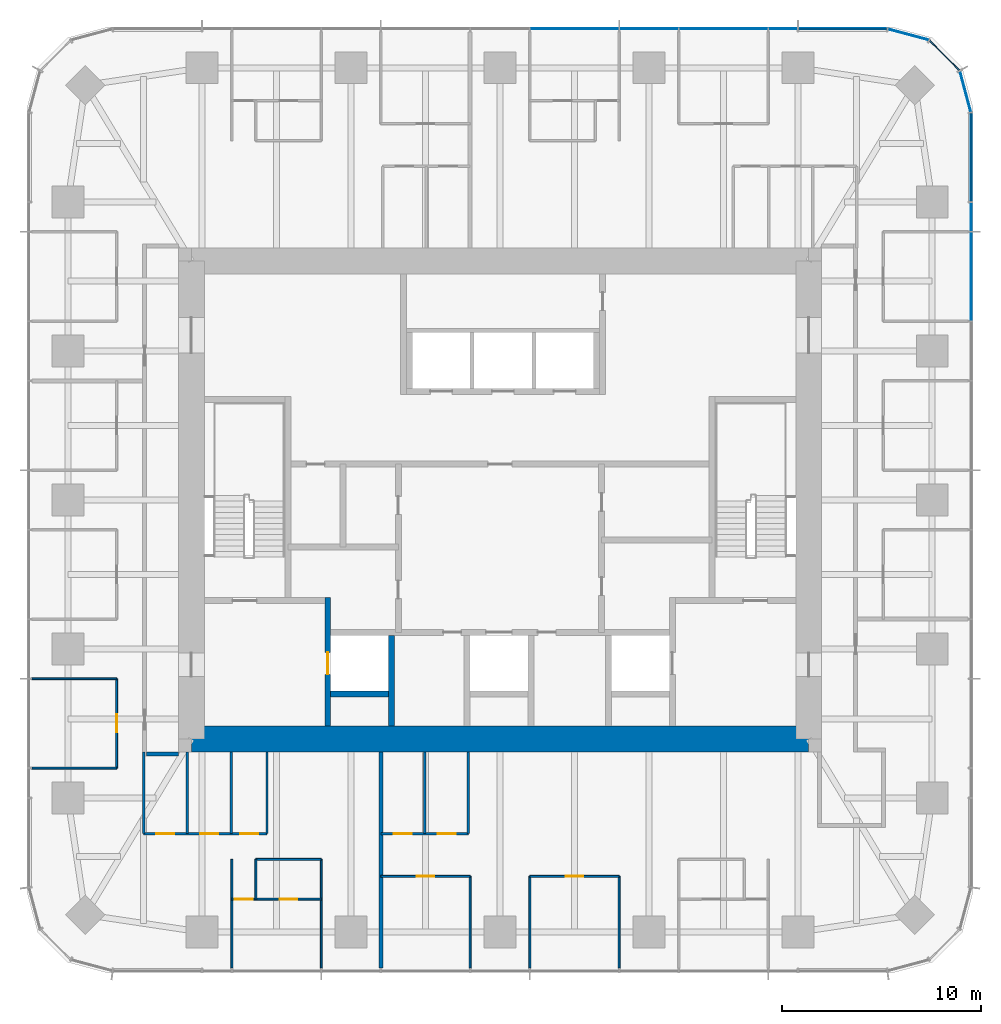
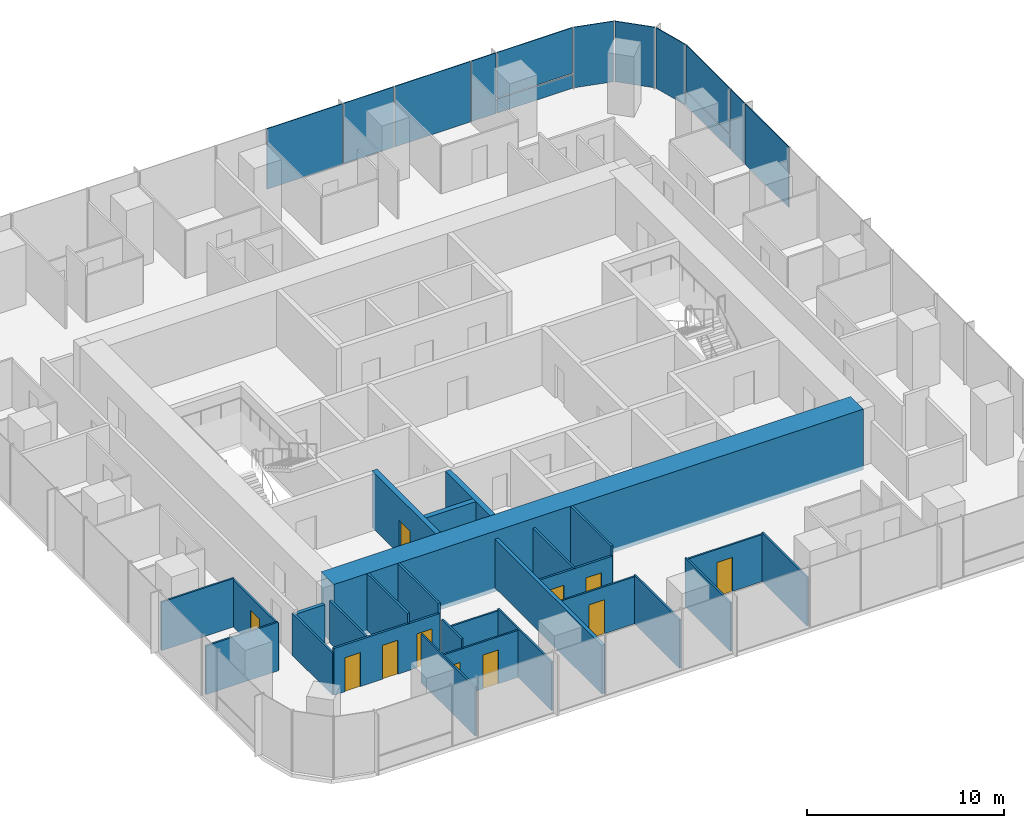
# One storey, part 8 of 12: 27 walls, 13 plates, 11 doors, 11 openings, 3 elements without a shape of their own.
"""IFC4 building model written with IfcOpenShell, lengths in metres."""

from ifc_helpers import new_model, si_unit, direction, frame, frame_2d, origin, origin_2d, place, context, subcontext, project, spatial, rectangle, extrude, material, layer, layer_set, type_object, element, fill, aggregate, save


model = new_model("IFC4")

# Units and contexts
model_context = context("Model", 3, precision=1e-05, world=origin(), true_north=direction((0.0, 1.0)))
body_context = subcontext(model_context, "Body", "Model", "MODEL_VIEW")
ifc_project = project(units=[si_unit("LENGTHUNIT", "METRE"), si_unit("AREAUNIT", "SQUARE_METRE"), si_unit("VOLUMEUNIT", "CUBIC_METRE"), si_unit("PLANEANGLEUNIT", "RADIAN"), si_unit("MASSUNIT", "GRAM", prefix="KILO")], contexts=[model_context])

# Site, building, storey
site_placement = place(None, origin())
site = spatial("IfcSite", under=ifc_project, at=site_placement, CompositionType="ELEMENT")
building_placement = place(site_placement, origin())
building = spatial("IfcBuilding", under=site, at=building_placement, Name="Khuree Lantern Residences", CompositionType="ELEMENT")
storey_placement = place(building_placement, frame((0.0, 0.0, 300.75)))
storey = spatial("IfcBuildingStorey", under=building, at=storey_placement, Name="L75", CompositionType="ELEMENT", Elevation=300.75)

# Curtain wall, plates
ifc_material_1 = material(Name="Bronze anodised aluminium", Category="aluminium")
curtain_wall_type_1 = type_object("IfcCurtainWallType", Name="CW-T2 TOWER CORNER CURTAIN WALL", PredefinedType="USERDEFINED", material=ifc_material_1)
curtain_wall_1_placement = place(storey_placement, origin())
curtain_wall_1 = element("IfcCurtainWall", 1, at=curtain_wall_1_placement, inside=storey, type_object=curtain_wall_type_1, Name="L75 NORTH-EAST CORNER CURTAIN WALL", ObjectType="Faceted corner curtain wall", PredefinedType="USERDEFINED")
ifc_material_2 = material(Name="Bronze tinted triple glazing", Category="glass")
ifc_layer_1 = layer(ifc_material_2, 0.048095703125)
ifc_layer_set_1 = layer_set([ifc_layer_1], Name="FACET PANEL P4")
plate_type_1 = type_object("IfcPlateType", Name="FACET PANEL P4", PredefinedType="CURTAIN_PANEL", material=ifc_layer_set_1)
plate_1_placement = place(storey_placement, frame((23.369140625, 20.498046875, 0.0), z_axis=(0.0, 0.0, 1.0), x_axis=(-0.2588189146, 0.965925861257, 0.0)))
plate_1 = element("IfcPlate", 2, at=plate_1_placement, type_object=plate_type_1, Name="L75 NORTH-EAST CORNER PANEL 15.1", PredefinedType="CURTAIN_PANEL", context=body_context, shape_type="SweptSolid", body=[
    extrude(rectangle(XDim=2.09814453125, YDim=0.048095703125, at=origin_2d()), origin(), (0.0, 0.0, 1.0), 3.75),
])
plate_2_placement = place(storey_placement, frame((22.318603515625, 22.318603515625, 0.0), z_axis=(0.0, 0.0, 1.0), x_axis=(-0.707106781187, 0.707106781187, 0.0)))
plate_2 = element("IfcPlate", 3, at=plate_2_placement, type_object=plate_type_1, Name="L75 NORTH-EAST CORNER PANEL 16.1", PredefinedType="CURTAIN_PANEL", context=body_context, shape_type="SweptSolid", body=[
    extrude(rectangle(XDim=2.093994140625, YDim=0.048095703125, at=origin_2d()), origin(), (0.0, 0.0, 1.0), 3.75),
])
plate_3_placement = place(storey_placement, frame((20.498046875, 23.369140625, 0.0), z_axis=(0.0, 0.0, 1.0), x_axis=(-0.965925861257, 0.2588189146, 0.0)))
plate_3 = element("IfcPlate", 4, at=plate_3_placement, type_object=plate_type_1, Name="L75 NORTH-EAST CORNER PANEL 17.1", PredefinedType="CURTAIN_PANEL", context=body_context, shape_type="SweptSolid", body=[
    extrude(rectangle(XDim=2.09814453125, YDim=0.048095703125, at=origin_2d()), origin(), (0.0, 0.0, 1.0), 3.75),
])
aggregate(curtain_wall_1, [plate_1, plate_2, plate_3])

# Curtain wall, plate
curtain_wall_type_2 = type_object("IfcCurtainWallType", Name="CW-T1 TOWER FACE CURTAIN WALL", PredefinedType="USERDEFINED", material=ifc_material_1)
curtain_wall_2_placement = place(storey_placement, origin())
curtain_wall_2 = element("IfcCurtainWall", 5, at=curtain_wall_2_placement, inside=storey, type_object=curtain_wall_type_2, Name="L75 EAST FACE CURTAIN WALL", ObjectType="Stick-built curtain wall", PredefinedType="USERDEFINED")
ifc_material_3 = material(Name="Bronze tinted triple glazing with a ceramic-fritted spandrel band", Category="glass")
ifc_layer_2 = layer(ifc_material_3, 0.048095703125)
ifc_layer_set_2 = layer_set([ifc_layer_2], Name="FIXED LIGHT PANEL P11")
plate_type_2 = type_object("IfcPlateType", Name="FIXED LIGHT PANEL P11", PredefinedType="CURTAIN_PANEL", material=ifc_layer_set_2)
plate_4_placement = place(storey_placement, frame((23.64990234375, 11.219970703125, 0.0), z_axis=(0.0, 0.0, 1.0), x_axis=(0.0, 1.0, 0.0)))
plate_4 = element("IfcPlate", 6, at=plate_4_placement, type_object=plate_type_2, Name="L75 EAST FACE PANEL 12.1", PredefinedType="CURTAIN_PANEL", context=body_context, shape_type="SweptSolid", body=[
    extrude(rectangle(XDim=4.423095703125, YDim=0.048095703125, at=origin_2d()), origin(), (0.0, 0.0, 1.0), 3.75),
])

# Curtain wall, plates
curtain_wall_3_placement = place(storey_placement, origin())
curtain_wall_3 = element("IfcCurtainWall", 7, at=curtain_wall_3_placement, inside=storey, type_object=curtain_wall_type_2, Name="L75 NORTH FACE CURTAIN WALL", ObjectType="Stick-built curtain wall", PredefinedType="USERDEFINED")
plate_5_placement = place(storey_placement, frame((11.219970703125, 23.64990234375, 0.0), z_axis=(0.0, 0.0, 1.0), x_axis=(-1.0, 0.0, 0.0)))
plate_5 = element("IfcPlate", 8, at=plate_5_placement, type_object=plate_type_2, Name="L75 NORTH FACE PANEL 20.1", PredefinedType="CURTAIN_PANEL", context=body_context, shape_type="SweptSolid", body=[
    extrude(rectangle(XDim=4.423095703125, YDim=0.048095703125, at=origin_2d()), origin(), (0.0, 0.0, 1.0), 3.75),
])
plate_6_placement = place(storey_placement, frame((3.739990234375, 23.64990234375, 0.0), z_axis=(0.0, 0.0, 1.0), x_axis=(-1.0, 0.0, 0.0)))
plate_6 = element("IfcPlate", 9, at=plate_6_placement, type_object=plate_type_2, Name="L75 NORTH FACE PANEL 22.1", PredefinedType="CURTAIN_PANEL", context=body_context, shape_type="SweptSolid", body=[
    extrude(rectangle(XDim=4.423095703125, YDim=0.048095703125, at=origin_2d()), origin(), (0.0, 0.0, 1.0), 3.75),
])
ifc_material_4 = material(Name="Bronze tinted triple glazing, two aluminium-framed sashes in one frame", Category="aluminium")
ifc_layer_3 = layer(ifc_material_4, 0.048095703125)
ifc_layer_set_3 = layer_set([ifc_layer_3], Name="SASH PAIR PANEL P12")
plate_type_3 = type_object("IfcPlateType", Name="SASH PAIR PANEL P12", PredefinedType="CURTAIN_PANEL", material=ifc_layer_set_3)
plate_7_placement = place(storey_placement, frame((7.47998046875, 23.64990234375, 0.0), z_axis=(0.0, 0.0, 1.0), x_axis=(-1.0, 0.0, 0.0)))
plate_7 = element("IfcPlate", 10, at=plate_7_placement, type_object=plate_type_3, Name="L75 NORTH FACE PANEL 21.1", PredefinedType="CURTAIN_PANEL", context=body_context, shape_type="SweptSolid", body=[
    extrude(rectangle(XDim=2.927001953125, YDim=0.048095703125, at=origin_2d()), origin(), (0.0, 0.0, 1.0), 3.75),
])

# Plate
ifc_material_5 = material(Name="Bronze tinted triple glazing, aluminium-framed sash", Category="aluminium")
ifc_layer_4 = layer(ifc_material_5, 0.048095703125)
ifc_layer_set_4 = layer_set([ifc_layer_4], Name="SASH PANEL P3")
plate_type_4 = type_object("IfcPlateType", Name="SASH PANEL P3", PredefinedType="CURTAIN_PANEL", material=ifc_layer_set_4)
plate_8_placement = place(storey_placement, frame((23.64990234375, 14.2119140625, 0.0), z_axis=(0.0, 0.0, 1.0), x_axis=(0.0, 1.0, 0.0)))
plate_8 = element("IfcPlate", 11, at=plate_8_placement, type_object=plate_type_4, Name="L75 EAST FACE PANEL 13.1", PredefinedType="CURTAIN_PANEL", context=body_context, shape_type="SweptSolid", body=[
    extrude(rectangle(XDim=1.430908203125, YDim=0.048095703125, at=origin_2d()), origin(), (0.0, 0.0, 1.0), 3.75),
])

plate_9_placement = place(storey_placement, frame((14.2119140625, 23.64990234375, 0.0), z_axis=(0.0, 0.0, 1.0), x_axis=(-1.0, 0.0, 0.0)))
plate_9 = element("IfcPlate", 12, at=plate_9_placement, type_object=plate_type_4, Name="L75 NORTH FACE PANEL 19.1", PredefinedType="CURTAIN_PANEL", context=body_context, shape_type="SweptSolid", body=[
    extrude(rectangle(XDim=1.430908203125, YDim=0.048095703125, at=origin_2d()), origin(), (0.0, 0.0, 1.0), 3.75),
])

ifc_material_6 = material(Name="Bronze anodised aluminium insulated spandrel", Category="aluminium")
ifc_layer_5 = layer(ifc_material_6, 0.06005859375)
ifc_layer_set_5 = layer_set([ifc_layer_5], Name="SPANDREL PANEL P2")
plate_type_5 = type_object("IfcPlateType", Name="SPANDREL PANEL P2", PredefinedType="CURTAIN_PANEL", material=ifc_layer_set_5)
plate_10_placement = place(storey_placement, frame((23.64990234375, 17.202880859375, 0.0), z_axis=(0.0, 0.0, 1.0), x_axis=(0.0, 1.0, 0.0)))
plate_10 = element("IfcPlate", 13, at=plate_10_placement, type_object=plate_type_5, Name="L75 EAST FACE PANEL 14.1", PredefinedType="CURTAIN_PANEL", context=body_context, shape_type="SweptSolid", body=[
    extrude(rectangle(XDim=4.420654296875, YDim=0.06005859375, at=origin_2d()), origin(), (0.0, 0.0, 1.0), 0.867431640625),
])

plate_11_placement = place(storey_placement, frame((17.202880859375, 23.64990234375, 0.0), z_axis=(0.0, 0.0, 1.0), x_axis=(-1.0, 0.0, 0.0)))
plate_11 = element("IfcPlate", 14, at=plate_11_placement, type_object=plate_type_5, Name="L75 NORTH FACE PANEL 18.1", PredefinedType="CURTAIN_PANEL", context=body_context, shape_type="SweptSolid", body=[
    extrude(rectangle(XDim=4.420654296875, YDim=0.06005859375, at=origin_2d()), origin(), (0.0, 0.0, 1.0), 0.867431640625),
])

ifc_layer_6 = layer(ifc_material_2, 0.048095703125)
ifc_layer_set_6 = layer_set([ifc_layer_6], Name="VISION PANEL P1")
plate_type_6 = type_object("IfcPlateType", Name="VISION PANEL P1", PredefinedType="CURTAIN_PANEL", material=ifc_layer_set_6)
plate_12_placement = place(storey_placement, frame((23.64990234375, 17.203369140625, 0.9326171875), z_axis=(0.0, 0.0, 1.0), x_axis=(0.0, 1.0, 0.0)))
plate_12 = element("IfcPlate", 15, at=plate_12_placement, type_object=plate_type_6, Name="L75 EAST FACE PANEL 14.2", PredefinedType="CURTAIN_PANEL", context=body_context, shape_type="SweptSolid", body=[
    extrude(rectangle(XDim=4.421630859375, YDim=0.048095703125, at=origin_2d()), origin(), (0.0, 0.0, 1.0), 2.8173828125),
])

aggregate(curtain_wall_2, [plate_4, plate_8, plate_10, plate_12])

plate_13_placement = place(storey_placement, frame((17.203369140625, 23.64990234375, 0.9326171875), z_axis=(0.0, 0.0, 1.0), x_axis=(-1.0, 0.0, 0.0)))
plate_13 = element("IfcPlate", 16, at=plate_13_placement, type_object=plate_type_6, Name="L75 NORTH FACE PANEL 18.2", PredefinedType="CURTAIN_PANEL", context=body_context, shape_type="SweptSolid", body=[
    extrude(rectangle(XDim=4.421630859375, YDim=0.048095703125, at=origin_2d()), origin(), (0.0, 0.0, 1.0), 2.8173828125),
])

aggregate(curtain_wall_3, [plate_11, plate_13, plate_9, plate_5, plate_7, plate_6])

# Wall, openings, doors
ifc_material_7 = material(Name="Moisture-resistant gypsum board on steel studs", Category="steel")
ifc_layer_7 = layer(ifc_material_7, 0.125)
ifc_layer_set_7 = layer_set([ifc_layer_7], Name="BATHROOM WALL BTW125")
wall_type_1 = type_object("IfcWallType", Name="BATHROOM WALL BTW125", PredefinedType="PARTITIONING", material=ifc_layer_set_7)
wall_1_placement = place(storey_placement, frame((-17.89990234375, -16.746337890625, 0.0), z_axis=(0.0, 0.0, 1.0), x_axis=(1.0, 0.0, 0.0)))
wall_1 = element("IfcWall", 17, at=wall_1_placement, inside=storey, type_object=wall_type_1, Name="L75 BATHROOM WALL 03", PredefinedType="PARTITIONING", context=body_context, shape_type="SweptSolid", body=[
    extrude(rectangle(XDim=6.199951171875, YDim=0.125, at=frame_2d((3.10009765625, 0.0))), origin(), (0.0, 0.0, 1.0), 2.89990234375),
])
opening_1_placement = place(wall_1_placement, frame((0.64990234375, 0.0, 0.0)))
opening_1 = element("IfcOpeningElement", 18, at=opening_1_placement, cuts=wall_1, Name="Opening 75-044", PredefinedType="OPENING", context=body_context, shape_type="SweptSolid", body=[
    extrude(rectangle(XDim=0.89990234375, YDim=2.10009765625, at=frame_2d((0.449951171875, 1.050048828125))), frame((0.0, 0.072509765625, 0.0), z_axis=(0.0, -1.0, 0.0), x_axis=(1.0, 0.0, 0.0)), (0.0, 0.0, 1.0), 0.14501953125),
])
opening_2_placement = place(wall_1_placement, frame((2.85009765625, 0.0, 0.0)))
opening_2 = element("IfcOpeningElement", 19, at=opening_2_placement, cuts=wall_1, Name="Opening 75-045", PredefinedType="OPENING", context=body_context, shape_type="SweptSolid", body=[
    extrude(rectangle(XDim=0.89990234375, YDim=2.10009765625, at=frame_2d((0.449951171875, 1.050048828125))), frame((0.0, 0.072509765625, 0.0), z_axis=(0.0, -1.0, 0.0), x_axis=(1.0, 0.0, 0.0)), (0.0, 0.0, 1.0), 0.14501953125),
])
opening_3_placement = place(wall_1_placement, frame((4.85009765625, 0.0, 0.0)))
opening_3 = element("IfcOpeningElement", 20, at=opening_3_placement, cuts=wall_1, Name="Opening 75-046", PredefinedType="OPENING", context=body_context, shape_type="SweptSolid", body=[
    extrude(rectangle(XDim=0.89990234375, YDim=2.10009765625, at=frame_2d((0.449951171875, 1.050048828125))), frame((0.0, 0.072509765625, 0.0), z_axis=(0.0, -1.0, 0.0), x_axis=(1.0, 0.0, 0.0)), (0.0, 0.0, 1.0), 0.14501953125),
])
ifc_material_8 = material(Name="Timber door leaf in hardwood frame", Category="wood")
door_type_1 = type_object("IfcDoorType", Name="BATHROOM DOOR 900X2100", OperationType="SINGLE_SWING_LEFT", PredefinedType="DOOR", material=ifc_material_8)
door_1_placement = place(opening_1_placement, origin())
door_1 = element("IfcDoor", 21, at=door_1_placement, inside=storey, type_object=door_type_1, Name="Bathroom door 75-044", OperationType="SINGLE_SWING_LEFT", OverallHeight=2.10009765625, OverallWidth=0.89990234375, PredefinedType="DOOR", context=body_context, shape_type="SweptSolid", body=[
    extrude(rectangle(XDim=0.89990234375, YDim=2.10009765625, at=frame_2d((0.449951171875, 1.050048828125))), frame((0.0, 0.02490234375, 0.0), z_axis=(0.0, -1.0, 0.0), x_axis=(1.0, 0.0, 0.0)), (0.0, 0.0, 1.0), 0.050048828125),
])
fill(opening_1, door_1)
door_2_placement = place(opening_2_placement, origin())
door_2 = element("IfcDoor", 22, at=door_2_placement, inside=storey, type_object=door_type_1, Name="Bathroom door 75-045", OperationType="SINGLE_SWING_LEFT", OverallHeight=2.10009765625, OverallWidth=0.89990234375, PredefinedType="DOOR", context=body_context, shape_type="SweptSolid", body=[
    extrude(rectangle(XDim=0.89990234375, YDim=2.10009765625, at=frame_2d((0.449951171875, 1.050048828125))), frame((0.0, 0.02490234375, 0.0), z_axis=(0.0, -1.0, 0.0), x_axis=(1.0, 0.0, 0.0)), (0.0, 0.0, 1.0), 0.050048828125),
])
fill(opening_2, door_2)
door_type_2 = type_object("IfcDoorType", Name="DOOR 900X2100", OperationType="SINGLE_SWING_LEFT", PredefinedType="DOOR", material=ifc_material_8)
door_3_placement = place(opening_3_placement, origin())
door_3 = element("IfcDoor", 23, at=door_3_placement, inside=storey, type_object=door_type_2, Name="Store door 75-046", OperationType="SINGLE_SWING_LEFT", OverallHeight=2.10009765625, OverallWidth=0.89990234375, PredefinedType="DOOR", context=body_context, shape_type="SweptSolid", body=[
    extrude(rectangle(XDim=0.89990234375, YDim=2.10009765625, at=frame_2d((0.449951171875, 1.050048828125))), frame((0.0, 0.02490234375, 0.0), z_axis=(0.0, -1.0, 0.0), x_axis=(1.0, 0.0, 0.0)), (0.0, 0.0, 1.0), 0.050048828125),
])
fill(opening_3, door_3)

# Walls
for number, where, z_axis, x_axis, name in (
    (24, (-17.89990234375, -12.64990234375, 0.0), (0.0, 0.0, 1.0), (0.0, -1.0, 0.0), "L75 BATHROOM WALL 03"),
    (25, (-15.699951171875, -12.64990234375, 0.0), (0.0, 0.0, 1.0), (0.0, -1.0, 0.0), "L75 BATHROOM WALL 03"),
):
    element("IfcWall", number, at=place(storey_placement, frame(where, z_axis=z_axis, x_axis=x_axis)), inside=storey, type_object=wall_type_1, Name=name, PredefinedType="PARTITIONING", context=body_context, shape_type="SweptSolid", body=[
        extrude(rectangle(XDim=4.096435546875, YDim=0.125, at=frame_2d((2.04833984375, 0.0))), origin(), (0.0, 0.0, 1.0), 2.60009765625),
    ])
for number, where, z_axis, x_axis, name in (
    (26, (-13.5, -12.64990234375, 0.0), (0.0, 0.0, 1.0), (0.0, -1.0, 0.0), "L75 BATHROOM WALL 03"),
    (27, (-11.699951171875, -12.64990234375, 0.0), (0.0, 0.0, 1.0), (0.0, -1.0, 0.0), "L75 BATHROOM WALL 03"),
):
    element("IfcWall", number, at=place(storey_placement, frame(where, z_axis=z_axis, x_axis=x_axis)), inside=storey, type_object=wall_type_1, Name=name, PredefinedType="PARTITIONING", context=body_context, shape_type="SweptSolid", body=[
        extrude(rectangle(XDim=4.096435546875, YDim=0.125, at=frame_2d((2.04833984375, 0.0))), origin(), (0.0, 0.0, 1.0), 3.5),
    ])

# Wall, openings, doors
wall_2_placement = place(storey_placement, frame((-5.98388671875, -16.746337890625, 0.0), z_axis=(0.0, 0.0, 1.0), x_axis=(1.0, 0.0, 0.0)))
wall_2 = element("IfcWall", 28, at=wall_2_placement, inside=storey, type_object=wall_type_1, Name="L75 BATHROOM WALL 04", PredefinedType="PARTITIONING", context=body_context, shape_type="SweptSolid", body=[
    extrude(rectangle(XDim=4.39990234375, YDim=0.125, at=frame_2d((2.199951171875, 0.0))), origin(), (0.0, 0.0, 1.0), 2.909912109375),
])
opening_4_placement = place(wall_2_placement, frame((0.64990234375, 0.0, 0.0)))
opening_4 = element("IfcOpeningElement", 29, at=opening_4_placement, cuts=wall_2, Name="Opening 75-052", PredefinedType="OPENING", context=body_context, shape_type="SweptSolid", body=[
    extrude(rectangle(XDim=0.89990234375, YDim=2.10009765625, at=frame_2d((0.449951171875, 1.050048828125))), frame((0.0, 0.072509765625, 0.0), z_axis=(0.0, -1.0, 0.0), x_axis=(1.0, 0.0, 0.0)), (0.0, 0.0, 1.0), 0.14501953125),
])
opening_5_placement = place(wall_2_placement, frame((2.85009765625, 0.0, 0.0)))
opening_5 = element("IfcOpeningElement", 30, at=opening_5_placement, cuts=wall_2, Name="Opening 75-053", PredefinedType="OPENING", context=body_context, shape_type="SweptSolid", body=[
    extrude(rectangle(XDim=0.89990234375, YDim=2.10009765625, at=frame_2d((0.449951171875, 1.050048828125))), frame((0.0, 0.072509765625, 0.0), z_axis=(0.0, -1.0, 0.0), x_axis=(1.0, 0.0, 0.0)), (0.0, 0.0, 1.0), 0.14501953125),
])
door_4_placement = place(opening_4_placement, origin())
door_4 = element("IfcDoor", 31, at=door_4_placement, inside=storey, type_object=door_type_1, Name="Bathroom door 75-052", OperationType="SINGLE_SWING_LEFT", OverallHeight=2.10009765625, OverallWidth=0.89990234375, PredefinedType="DOOR", context=body_context, shape_type="SweptSolid", body=[
    extrude(rectangle(XDim=0.89990234375, YDim=2.10009765625, at=frame_2d((0.449951171875, 1.050048828125))), frame((0.0, 0.02490234375, 0.0), z_axis=(0.0, -1.0, 0.0), x_axis=(1.0, 0.0, 0.0)), (0.0, 0.0, 1.0), 0.050048828125),
])
fill(opening_4, door_4)
door_5_placement = place(opening_5_placement, origin())
door_5 = element("IfcDoor", 32, at=door_5_placement, inside=storey, type_object=door_type_1, Name="Bathroom door 75-053", OperationType="SINGLE_SWING_LEFT", OverallHeight=2.10009765625, OverallWidth=0.89990234375, PredefinedType="DOOR", context=body_context, shape_type="SweptSolid", body=[
    extrude(rectangle(XDim=0.89990234375, YDim=2.10009765625, at=frame_2d((0.449951171875, 1.050048828125))), frame((0.0, 0.02490234375, 0.0), z_axis=(0.0, -1.0, 0.0), x_axis=(1.0, 0.0, 0.0)), (0.0, 0.0, 1.0), 0.050048828125),
])
fill(opening_5, door_5)

# Walls
wall_3_placement = place(storey_placement, frame((-3.783935546875, -12.64990234375, 0.0), z_axis=(0.0, 0.0, 1.0), x_axis=(0.0, -1.0, 0.0)))
element("IfcWall", 33, at=wall_3_placement, inside=storey, type_object=wall_type_1, Name="L75 BATHROOM WALL 04", PredefinedType="PARTITIONING", context=body_context, shape_type="SweptSolid", body=[
    extrude(rectangle(XDim=4.096435546875, YDim=0.125, at=frame_2d((2.04833984375, 0.0))), origin(), (0.0, 0.0, 1.0), 2.909912109375),
])
wall_4_placement = place(storey_placement, frame((-1.583984375, -12.64990234375, 0.0), z_axis=(0.0, 0.0, 1.0), x_axis=(0.0, -1.0, 0.0)))
element("IfcWall", 34, at=wall_4_placement, inside=storey, type_object=wall_type_1, Name="L75 BATHROOM WALL 04", PredefinedType="PARTITIONING", context=body_context, shape_type="SweptSolid", body=[
    extrude(rectangle(XDim=4.096435546875, YDim=0.125, at=frame_2d((2.04833984375, 0.0))), origin(), (0.0, 0.0, 1.0), 3.5),
])

# Wall, opening, door
ifc_material_9 = material(Name="Dense concrete blockwork", Category="masonry")
ifc_layer_8 = layer(ifc_material_9, 0.300048828125)
ifc_layer_set_8 = layer_set([ifc_layer_8], Name="CORE PARTITION WALL CPW300 EI 120")
wall_type_2 = type_object("IfcWallType", Name="CORE PARTITION WALL CPW300 EI 120", PredefinedType="PARTITIONING", material=ifc_layer_set_8)
wall_5_placement = place(storey_placement, frame((-8.64990234375, -11.35009765625, 0.0), z_axis=(0.0, 0.0, 1.0), x_axis=(0.0, 1.0, 0.0)))
wall_5 = element("IfcWall", 35, at=wall_5_placement, inside=storey, type_object=wall_type_2, Name="L75 CORE WALL FL1W", PredefinedType="PARTITIONING", context=body_context, shape_type="SweptSolid", body=[
    extrude(rectangle(XDim=6.4501953125, YDim=0.300048828125, at=frame_2d((3.22509765625, 0.0))), origin(), (0.0, 0.0, 1.0), 3.5),
])
opening_6_placement = place(wall_5_placement, frame((2.60009765625, 0.0, 0.0)))
opening_6 = element("IfcOpeningElement", 36, at=opening_6_placement, cuts=wall_5, Name="Opening 75-007", PredefinedType="OPENING", context=body_context, shape_type="SweptSolid", body=[
    extrude(rectangle(XDim=1.10009765625, YDim=2.10009765625, at=frame_2d((0.550048828125, 1.050048828125))), frame((0.0, 0.16015625, 0.0), z_axis=(0.0, -1.0, 0.0), x_axis=(1.0, 0.0, 0.0)), (0.0, 0.0, 1.0), 0.320068359375),
])
ifc_material_10 = material(Name="Stainless steel lift landing door", Category="steel")
door_type_3 = type_object("IfcDoorType", Name="LIFT LANDING DOOR 1100X2100 E 120", OperationType="DOUBLE_DOOR_SLIDING", PredefinedType="DOOR", material=ifc_material_10)
door_6_placement = place(opening_6_placement, origin())
door_6 = element("IfcDoor", 37, at=door_6_placement, inside=storey, type_object=door_type_3, Name="Landing door FL1 75-007", OperationType="DOUBLE_DOOR_SLIDING", OverallHeight=2.10009765625, OverallWidth=1.10009765625, PredefinedType="DOOR", context=body_context, shape_type="SweptSolid", body=[
    extrude(rectangle(XDim=1.10009765625, YDim=2.10009765625, at=frame_2d((0.550048828125, 1.050048828125))), frame((0.0, 0.02490234375, 0.0), z_axis=(0.0, -1.0, 0.0), x_axis=(1.0, 0.0, 0.0)), (0.0, 0.0, 1.0), 0.050048828125),
])
fill(opening_6, door_6)

# Walls
wall_6_placement = place(storey_placement, frame((-5.449951171875, -11.35009765625, 0.0), z_axis=(0.0, 0.0, 1.0), x_axis=(0.0, 1.0, 0.0)))
element("IfcWall", 38, at=wall_6_placement, inside=storey, type_object=wall_type_2, Name="L75 CORE WALL FL1E", PredefinedType="PARTITIONING", context=body_context, shape_type="SweptSolid", body=[
    extrude(rectangle(XDim=4.550048828125, YDim=0.300048828125, at=frame_2d((2.27490234375, 0.0))), origin(), (0.0, 0.0, 1.0), 3.5),
])
wall_7_placement = place(storey_placement, frame((-8.5, -9.75, 0.0), z_axis=(0.0, 0.0, 1.0), x_axis=(1.0, 0.0, 0.0)))
element("IfcWall", 39, at=wall_7_placement, inside=storey, type_object=wall_type_2, Name="L75 CORE WALL FL1S", PredefinedType="PARTITIONING", context=body_context, shape_type="SweptSolid", body=[
    extrude(rectangle(XDim=2.89990234375, YDim=0.300048828125, at=frame_2d((1.449951171875, 0.0))), origin(), (0.0, 0.0, 1.0), 3.5),
])
ifc_material_11 = material(Name="Gypsum board on steel studs", Category="steel")
ifc_layer_9 = layer(ifc_material_11, 0.199951171875)
ifc_layer_set_9 = layer_set([ifc_layer_9], Name="CORRIDOR WALL CRW200 EI 60")
wall_type_3 = type_object("IfcWallType", Name="CORRIDOR WALL CRW200 EI 60", PredefinedType="PARTITIONING", material=ifc_layer_set_9)
wall_8_placement = place(storey_placement, frame((-16.14990234375, -12.75, 0.0), z_axis=(0.0, 0.0, 1.0), x_axis=(-1.0, 0.0, 0.0)))
element("IfcWall", 40, at=wall_8_placement, inside=storey, type_object=wall_type_3, Name="L75 WEST CORRIDOR SOUTH END WALL", PredefinedType="PARTITIONING", context=body_context, shape_type="SweptSolid", body=[
    extrude(rectangle(XDim=1.60009765625, YDim=0.199951171875, at=frame_2d((0.800048828125, 0.0))), origin(), (0.0, 0.0, 1.0), 2.60009765625),
])
ifc_material_12 = material(Name="Concrete C50/60", Category="concrete")
ifc_layer_10 = layer(ifc_material_12, 1.300048828125)
ifc_layer_set_10 = layer_set([ifc_layer_10], Name="CW1300-C50 CORE WALL C50 1300")
wall_type_4 = type_object("IfcWallType", Name="CW1300-C50 CORE WALL C50 1300", PredefinedType="SHEAR", material=ifc_layer_set_10)
wall_9_placement = place(storey_placement, frame((-15.5, -12.0, -0.25), z_axis=(0.0, 0.0, 1.0), x_axis=(1.0, 0.0, 0.0)))
element("IfcWall", 41, at=wall_9_placement, inside=storey, type_object=wall_type_4, Name="Core wall S", PredefinedType="SHEAR", context=body_context, shape_type="SweptSolid", body=[
    extrude(rectangle(XDim=31.0, YDim=1.300048828125, at=frame_2d((15.5, 0.0))), origin(), (0.0, 0.0, 1.0), 3.75),
])
ifc_layer_11 = layer(ifc_material_11, 0.199951171875)
ifc_layer_set_11 = layer_set([ifc_layer_11], Name="DEMISING WALL DMW200 EI 90")
wall_type_5 = type_object("IfcWallType", Name="DEMISING WALL DMW200 EI 90", PredefinedType="PARTITIONING", material=ifc_layer_set_11)
wall_10_placement = place(storey_placement, frame((-5.98388671875, -12.64990234375, 0.0), z_axis=(0.0, 0.0, 1.0), x_axis=(0.0, -1.0, 0.0)))
element("IfcWall", 42, at=wall_10_placement, inside=storey, type_object=wall_type_5, Name="L75 DEMISING WALL 04", PredefinedType="PARTITIONING", context=body_context, shape_type="SweptSolid", body=[
    extrude(rectangle(XDim=10.85009765625, YDim=0.199951171875, at=frame_2d((5.425048828125, 0.0))), origin(), (0.0, 0.0, 1.0), 3.010009765625),
])
ifc_layer_12 = layer(ifc_material_11, 0.10009765625)
ifc_layer_set_12 = layer_set([ifc_layer_12], Name="PARTITION PT100")
wall_type_6 = type_object("IfcWallType", Name="PARTITION PT100", PredefinedType="PARTITIONING", material=ifc_layer_set_12)
for number, where, z_axis, x_axis, name in (
    (43, (-19.25, -8.97607421875, 0.0), (0.0, 0.0, 1.0), (-1.0, 0.0, 0.0), "L75 PARTITION 03"),
    (44, (-19.25, -13.464111328125, 0.0), (0.0, 0.0, 1.0), (-1.0, 0.0, 0.0), "L75 PARTITION 03"),
):
    element("IfcWall", number, at=place(storey_placement, frame(where, z_axis=z_axis, x_axis=x_axis)), inside=storey, type_object=wall_type_6, Name=name, PredefinedType="PARTITIONING", context=body_context, shape_type="SweptSolid", body=[
        extrude(rectangle(XDim=4.25, YDim=0.10009765625, at=frame_2d((2.125, 0.0))), origin(), (0.0, 0.0, 1.0), 3.010009765625),
    ])
for number, where, z_axis, x_axis, name in (
    (45, (-13.464111328125, -18.04638671875, 0.0), (0.0, 0.0, 1.0), (0.0, -1.0, 0.0), "L75 PARTITION 03"),
    (46, (-8.97607421875, -18.04638671875, 0.0), (0.0, 0.0, 1.0), (0.0, -1.0, 0.0), "L75 PARTITION 03"),
):
    element("IfcWall", number, at=place(storey_placement, frame(where, z_axis=z_axis, x_axis=x_axis)), inside=storey, type_object=wall_type_6, Name=name, PredefinedType="PARTITIONING", context=body_context, shape_type="SweptSolid", body=[
        extrude(rectangle(XDim=5.45361328125, YDim=0.10009765625, at=frame_2d((2.726806640625, 0.0))), origin(), (0.0, 0.0, 1.0), 3.010009765625),
    ])
for number, where, z_axis, x_axis, name in (
    (47, (-1.49609375, -18.89990234375, 0.0), (0.0, 0.0, 1.0), (0.0, -1.0, 0.0), "L75 PARTITION 04"),
    (48, (1.49609375, -18.89990234375, 0.0), (0.0, 0.0, 1.0), (0.0, -1.0, 0.0), "L75 PARTITION 04"),
    (49, (5.98388671875, -18.89990234375, 0.0), (0.0, 0.0, 1.0), (0.0, -1.0, 0.0), "L75 PARTITION 04"),
):
    element("IfcWall", number, at=place(storey_placement, frame(where, z_axis=z_axis, x_axis=x_axis)), inside=storey, type_object=wall_type_6, Name=name, PredefinedType="PARTITIONING", context=body_context, shape_type="SweptSolid", body=[
        extrude(rectangle(XDim=4.60009765625, YDim=0.10009765625, at=frame_2d((2.300048828125, 0.0))), origin(), (0.0, 0.0, 1.0), 3.010009765625),
    ])

# Wall, opening, door
wall_11_placement = place(storey_placement, frame((-19.25, -8.97607421875, 0.0), z_axis=(0.0, 0.0, 1.0), x_axis=(0.0, -1.0, 0.0)))
wall_11 = element("IfcWall", 50, at=wall_11_placement, inside=storey, type_object=wall_type_6, Name="L75 PARTITION 03", PredefinedType="PARTITIONING", context=body_context, shape_type="SweptSolid", body=[
    extrude(rectangle(XDim=4.488037109375, YDim=0.10009765625, at=frame_2d((2.244140625, 0.0))), origin(), (0.0, 0.0, 1.0), 2.909912109375),
])
opening_7_placement = place(wall_11_placement, frame((1.7939453125, 0.0, 0.0)))
opening_7 = element("IfcOpeningElement", 51, at=opening_7_placement, cuts=wall_11, Name="Opening 75-041", PredefinedType="OPENING", context=body_context, shape_type="SweptSolid", body=[
    extrude(rectangle(XDim=0.89990234375, YDim=2.10009765625, at=frame_2d((0.449951171875, 1.050048828125))), frame((0.0, 0.06005859375, 0.0), z_axis=(0.0, -1.0, 0.0), x_axis=(1.0, 0.0, 0.0)), (0.0, 0.0, 1.0), 0.1201171875),
])
door_type_4 = type_object("IfcDoorType", Name="BEDROOM DOOR 900X2100", OperationType="SINGLE_SWING_LEFT", PredefinedType="DOOR", material=ifc_material_8)
door_7_placement = place(opening_7_placement, origin())
door_7 = element("IfcDoor", 52, at=door_7_placement, inside=storey, type_object=door_type_4, Name="Bedroom door 75-041", OperationType="SINGLE_SWING_LEFT", OverallHeight=2.10009765625, OverallWidth=0.89990234375, PredefinedType="DOOR", context=body_context, shape_type="SweptSolid", body=[
    extrude(rectangle(XDim=0.89990234375, YDim=2.10009765625, at=frame_2d((0.449951171875, 1.050048828125))), frame((0.0, 0.02490234375, 0.0), z_axis=(0.0, -1.0, 0.0), x_axis=(1.0, 0.0, 0.0)), (0.0, 0.0, 1.0), 0.050048828125),
])
fill(opening_7, door_7)

# Wall, openings, doors
wall_12_placement = place(storey_placement, frame((-13.464111328125, -20.04638671875, 0.0), z_axis=(0.0, 0.0, 1.0), x_axis=(1.0, 0.0, 0.0)))
wall_12 = element("IfcWall", 53, at=wall_12_placement, inside=storey, type_object=wall_type_6, Name="L75 PARTITION 03", PredefinedType="PARTITIONING", context=body_context, shape_type="SweptSolid", body=[
    extrude(rectangle(XDim=4.488037109375, YDim=0.10009765625, at=frame_2d((2.244140625, 0.0))), origin(), (0.0, 0.0, 1.0), 2.909912109375),
])
opening_8_placement = place(wall_12_placement, frame((0.14990234375, 0.0, 0.0)))
opening_8 = element("IfcOpeningElement", 54, at=opening_8_placement, cuts=wall_12, Name="Opening 75-042", PredefinedType="OPENING", context=body_context, shape_type="SweptSolid", body=[
    extrude(rectangle(XDim=0.89990234375, YDim=2.10009765625, at=frame_2d((0.449951171875, 1.050048828125))), frame((0.0, 0.06005859375, 0.0), z_axis=(0.0, -1.0, 0.0), x_axis=(1.0, 0.0, 0.0)), (0.0, 0.0, 1.0), 0.1201171875),
])
opening_9_placement = place(wall_12_placement, frame((2.39404296875, 0.0, 0.0)))
opening_9 = element("IfcOpeningElement", 55, at=opening_9_placement, cuts=wall_12, Name="Opening 75-043", PredefinedType="OPENING", context=body_context, shape_type="SweptSolid", body=[
    extrude(rectangle(XDim=0.89990234375, YDim=2.10009765625, at=frame_2d((0.449951171875, 1.050048828125))), frame((0.0, 0.06005859375, 0.0), z_axis=(0.0, -1.0, 0.0), x_axis=(1.0, 0.0, 0.0)), (0.0, 0.0, 1.0), 0.1201171875),
])
door_8_placement = place(opening_8_placement, origin())
door_8 = element("IfcDoor", 56, at=door_8_placement, inside=storey, type_object=door_type_4, Name="Bedroom door 75-042", OperationType="SINGLE_SWING_LEFT", OverallHeight=2.10009765625, OverallWidth=0.89990234375, PredefinedType="DOOR", context=body_context, shape_type="SweptSolid", body=[
    extrude(rectangle(XDim=0.89990234375, YDim=2.10009765625, at=frame_2d((0.449951171875, 1.050048828125))), frame((0.0, 0.02490234375, 0.0), z_axis=(0.0, -1.0, 0.0), x_axis=(1.0, 0.0, 0.0)), (0.0, 0.0, 1.0), 0.050048828125),
])
fill(opening_8, door_8)
door_9_placement = place(opening_9_placement, origin())
door_9 = element("IfcDoor", 57, at=door_9_placement, inside=storey, type_object=door_type_2, Name="Wardrobe door 75-043", OperationType="SINGLE_SWING_LEFT", OverallHeight=2.10009765625, OverallWidth=0.89990234375, PredefinedType="DOOR", context=body_context, shape_type="SweptSolid", body=[
    extrude(rectangle(XDim=0.89990234375, YDim=2.10009765625, at=frame_2d((0.449951171875, 1.050048828125))), frame((0.0, 0.02490234375, 0.0), z_axis=(0.0, -1.0, 0.0), x_axis=(1.0, 0.0, 0.0)), (0.0, 0.0, 1.0), 0.050048828125),
])
fill(opening_9, door_9)

# Walls
wall_13_placement = place(storey_placement, frame((-12.263916015625, -18.04638671875, 0.0), z_axis=(0.0, 0.0, 1.0), x_axis=(0.0, -1.0, 0.0)))
element("IfcWall", 58, at=wall_13_placement, inside=storey, type_object=wall_type_6, Name="L75 PARTITION 03", PredefinedType="PARTITIONING", context=body_context, shape_type="SweptSolid", body=[
    extrude(rectangle(XDim=2.0, YDim=0.10009765625, at=frame_2d((1.0, 0.0))), origin(), (0.0, 0.0, 1.0), 3.5),
])
wall_14_placement = place(storey_placement, frame((-12.263916015625, -18.04638671875, 0.0), z_axis=(0.0, 0.0, 1.0), x_axis=(1.0, 0.0, 0.0)))
element("IfcWall", 59, at=wall_14_placement, inside=storey, type_object=wall_type_6, Name="L75 PARTITION 03", PredefinedType="PARTITIONING", context=body_context, shape_type="SweptSolid", body=[
    extrude(rectangle(XDim=3.287841796875, YDim=0.10009765625, at=frame_2d((1.64404296875, 0.0))), origin(), (0.0, 0.0, 1.0), 2.909912109375),
])

# Wall, opening, door
wall_15_placement = place(storey_placement, frame((-5.98388671875, -18.89990234375, 0.0), z_axis=(0.0, 0.0, 1.0), x_axis=(1.0, 0.0, 0.0)))
wall_15 = element("IfcWall", 60, at=wall_15_placement, inside=storey, type_object=wall_type_6, Name="L75 PARTITION 04", PredefinedType="PARTITIONING", context=body_context, shape_type="SweptSolid", body=[
    extrude(rectangle(XDim=4.48779296875, YDim=0.10009765625, at=frame_2d((2.243896484375, 0.0))), origin(), (0.0, 0.0, 1.0), 2.909912109375),
])
opening_10_placement = place(wall_15_placement, frame((1.7939453125, 0.0, 0.0)))
opening_10 = element("IfcOpeningElement", 61, at=opening_10_placement, cuts=wall_15, Name="Opening 75-048", PredefinedType="OPENING", context=body_context, shape_type="SweptSolid", body=[
    extrude(rectangle(XDim=0.89990234375, YDim=2.10009765625, at=frame_2d((0.449951171875, 1.050048828125))), frame((0.0, 0.06005859375, 0.0), z_axis=(0.0, -1.0, 0.0), x_axis=(1.0, 0.0, 0.0)), (0.0, 0.0, 1.0), 0.1201171875),
])
door_10_placement = place(opening_10_placement, origin())
door_10 = element("IfcDoor", 62, at=door_10_placement, inside=storey, type_object=door_type_4, Name="Bedroom door 75-048", OperationType="SINGLE_SWING_LEFT", OverallHeight=2.10009765625, OverallWidth=0.89990234375, PredefinedType="DOOR", context=body_context, shape_type="SweptSolid", body=[
    extrude(rectangle(XDim=0.89990234375, YDim=2.10009765625, at=frame_2d((0.449951171875, 1.050048828125))), frame((0.0, 0.02490234375, 0.0), z_axis=(0.0, -1.0, 0.0), x_axis=(1.0, 0.0, 0.0)), (0.0, 0.0, 1.0), 0.050048828125),
])
fill(opening_10, door_10)

wall_16_placement = place(storey_placement, frame((1.49609375, -18.89990234375, 0.0), z_axis=(0.0, 0.0, 1.0), x_axis=(1.0, 0.0, 0.0)))
wall_16 = element("IfcWall", 63, at=wall_16_placement, inside=storey, type_object=wall_type_6, Name="L75 PARTITION 04", PredefinedType="PARTITIONING", context=body_context, shape_type="SweptSolid", body=[
    extrude(rectangle(XDim=4.48779296875, YDim=0.10009765625, at=frame_2d((2.243896484375, 0.0))), origin(), (0.0, 0.0, 1.0), 2.909912109375),
])
opening_11_placement = place(wall_16_placement, frame((1.7939453125, 0.0, 0.0)))
opening_11 = element("IfcOpeningElement", 64, at=opening_11_placement, cuts=wall_16, Name="Opening 75-049", PredefinedType="OPENING", context=body_context, shape_type="SweptSolid", body=[
    extrude(rectangle(XDim=0.89990234375, YDim=2.10009765625, at=frame_2d((0.449951171875, 1.050048828125))), frame((0.0, 0.06005859375, 0.0), z_axis=(0.0, -1.0, 0.0), x_axis=(1.0, 0.0, 0.0)), (0.0, 0.0, 1.0), 0.1201171875),
])
door_11_placement = place(opening_11_placement, origin())
door_11 = element("IfcDoor", 65, at=door_11_placement, inside=storey, type_object=door_type_4, Name="Bedroom door 75-049", OperationType="SINGLE_SWING_LEFT", OverallHeight=2.10009765625, OverallWidth=0.89990234375, PredefinedType="DOOR", context=body_context, shape_type="SweptSolid", body=[
    extrude(rectangle(XDim=0.89990234375, YDim=2.10009765625, at=frame_2d((0.449951171875, 1.050048828125))), frame((0.0, 0.02490234375, 0.0), z_axis=(0.0, -1.0, 0.0), x_axis=(1.0, 0.0, 0.0)), (0.0, 0.0, 1.0), 0.050048828125),
])
fill(opening_11, door_11)

save(model, "model.ifc")
